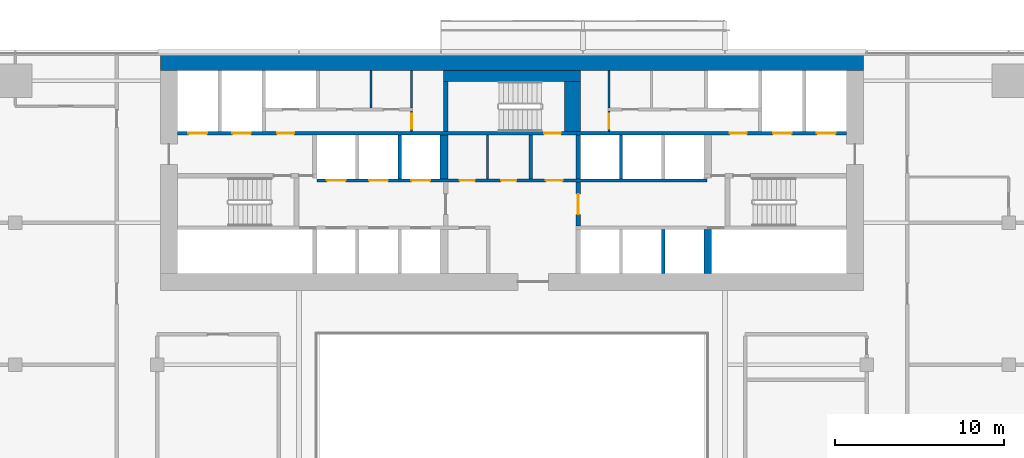
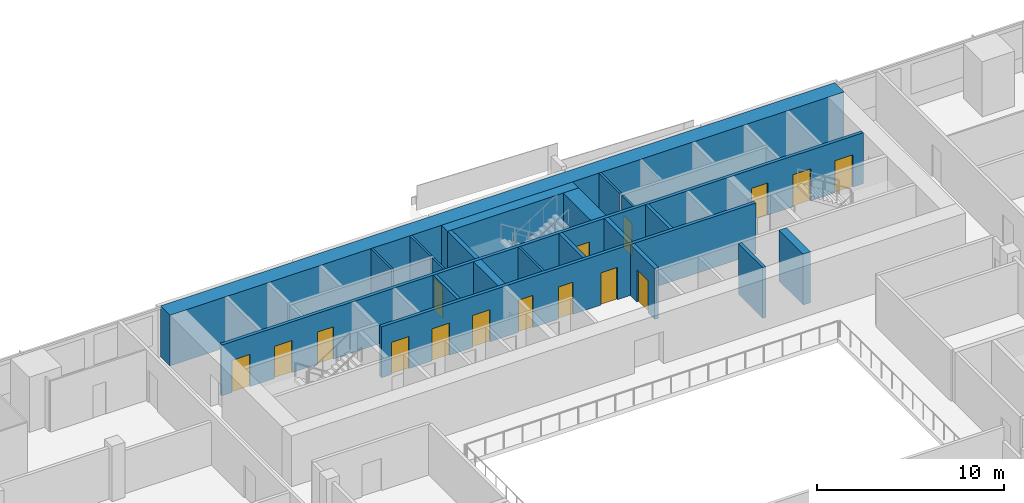
# One storey, part 21 of 26: 20 walls, 16 doors, 16 openings.
"""IFC4 building model written with IfcOpenShell, lengths in metres."""

from ifc_helpers import new_model, si_unit, direction, frame, frame_2d, origin, place, context, subcontext, project, spatial, rectangle, extrude, material, layer, layer_set, type_object, element, fill, save


model = new_model("IFC4")

# Units and contexts
model_context = context("Model", 3, precision=1e-05, world=origin(), true_north=direction((0.0, 1.0)))
body_context = subcontext(model_context, "Body", "Model", "MODEL_VIEW")
ifc_project = project(units=[si_unit("LENGTHUNIT", "METRE"), si_unit("AREAUNIT", "SQUARE_METRE"), si_unit("VOLUMEUNIT", "CUBIC_METRE"), si_unit("PLANEANGLEUNIT", "RADIAN"), si_unit("MASSUNIT", "GRAM", prefix="KILO")], contexts=[model_context])

# Site, building, storey
site_placement = place(None, origin())
site = spatial("IfcSite", under=ifc_project, at=site_placement, CompositionType="ELEMENT")
building_placement = place(site_placement, origin())
building = spatial("IfcBuilding", under=site, at=building_placement, Name="Saffron Gate Tower", CompositionType="ELEMENT")
storey_placement = place(building_placement, frame((0.0, 0.0, 98.85009765625)))
storey = spatial("IfcBuildingStorey", under=building, at=storey_placement, Name="L22", CompositionType="ELEMENT", Elevation=98.85009765625)

# Walls
ifc_material_1 = material(Name="Gypsum board partition on steel studs", Category="steel")
ifc_layer_1 = layer(ifc_material_1, 0.199951171875)
ifc_layer_set_1 = layer_set([ifc_layer_1], Name="CW10 Core partition 200")
wall_type_1 = type_object("IfcWallType", Name="CW10 Core partition 200", PredefinedType="PARTITIONING", material=ifc_layer_set_1)
wall_1_placement = place(storey_placement, frame((88.699951171875, 68.0, 0.0), z_axis=(0.0, 0.0, 1.0), x_axis=(0.0, 1.0, 0.0)))
element("IfcWall", 1, at=wall_1_placement, inside=storey, type_object=wall_type_1, Name="Wall CW10-L22-25", PredefinedType="PARTITIONING", context=body_context, shape_type="SweptSolid", body=[
    extrude(rectangle(XDim=2.60009765625, YDim=0.199951171875, at=frame_2d((1.300048828125, 0.0))), origin(), (0.0, 0.0, 1.0), 3.31982421875),
])
ifc_material_2 = material(Name="Concrete C70", Category="concrete")
ifc_layer_2 = layer(ifc_material_2, 1.0)
ifc_layer_set_2 = layer_set([ifc_layer_2], Name="CW12 RC core wall 1000 C70")
wall_type_2 = type_object("IfcWallType", Name="CW12 RC core wall 1000 C70", PredefinedType="SOLIDWALL", material=ifc_layer_set_2)
wall_2_placement = place(storey_placement, frame((66.800048828125, 74.89990234375, 0.0), z_axis=(0.0, 0.0, 1.0), x_axis=(1.0, 0.0, 0.0)))
element("IfcWall", 2, at=wall_2_placement, inside=storey, type_object=wall_type_2, Name="Wall CW12-L22-2", PredefinedType="SOLIDWALL", context=body_context, shape_type="SweptSolid", body=[
    extrude(rectangle(XDim=41.599853515625, YDim=1.0, at=frame_2d((20.7998046875, 0.0))), origin(), (0.0, 0.0, 1.0), 3.31982421875),
])

# Wall, opening, door
ifc_layer_3 = layer(ifc_material_2, 0.25)
ifc_layer_set_3 = layer_set([ifc_layer_3], Name="CW2 RC core wall 250 C70")
wall_type_3 = type_object("IfcWallType", Name="CW2 RC core wall 250 C70", PredefinedType="SOLIDWALL", material=ifc_layer_set_3)
wall_3_placement = place(storey_placement, frame((91.52490234375, 65.199951171875, 0.0), z_axis=(0.0, 0.0, 1.0), x_axis=(0.0, 1.0, 0.0)))
wall_3 = element("IfcWall", 3, at=wall_3_placement, inside=storey, type_object=wall_type_3, Name="Wall CW2-L22-18", PredefinedType="SOLIDWALL", context=body_context, shape_type="SweptSolid", body=[
    extrude(rectangle(XDim=2.60009765625, YDim=0.25, at=frame_2d((1.300048828125, 0.0))), origin(), (0.0, 0.0, 1.0), 3.31982421875),
])
opening_1_placement = place(wall_3_placement, frame((0.699951171875, 0.0, 0.0)))
opening_1 = element("IfcOpeningElement", 4, at=opening_1_placement, cuts=wall_3, Name="Opening CR-01", PredefinedType="OPENING", context=body_context, shape_type="SweptSolid", body=[
    extrude(rectangle(XDim=1.199951171875, YDim=2.10009765625, at=frame_2d((0.60009765625, 1.050048828125))), frame((0.0, 0.135009765625, 0.0), z_axis=(0.0, -1.0, 0.0), x_axis=(1.0, 0.0, 0.0)), (0.0, 0.0, 1.0), 0.27001953125),
])
ifc_material_3 = material(Name="Steel fire door set", Category="steel")
door_type_1 = type_object("IfcDoorType", Name="CD3 Lobby door 1200x2100 EI 120", OperationType="NOTDEFINED", PredefinedType="DOOR", material=ifc_material_3)
door_1_placement = place(opening_1_placement, origin())
door_1 = element("IfcDoor", 5, at=door_1_placement, inside=storey, type_object=door_type_1, Name="DOOR CR-01", OperationType="SINGLE_SWING_RIGHT", OverallHeight=2.10009765625, OverallWidth=1.199951171875, PredefinedType="DOOR", context=body_context, shape_type="SweptSolid", body=[
    extrude(rectangle(XDim=1.199951171875, YDim=2.10009765625, at=frame_2d((0.60009765625, 1.050048828125))), frame((0.0, 0.02490234375, 0.0), z_axis=(0.0, -1.0, 0.0), x_axis=(1.0, 0.0, 0.0)), (0.0, 0.0, 1.0), 0.050048828125),
])
fill(opening_1, door_1)

# Walls
wall_4_placement = place(storey_placement, frame((91.52490234375, 68.0, 0.0), z_axis=(0.0, 0.0, 1.0), x_axis=(0.0, 1.0, 0.0)))
element("IfcWall", 6, at=wall_4_placement, inside=storey, type_object=wall_type_3, Name="Wall CW2-L22-26", PredefinedType="SOLIDWALL", context=body_context, shape_type="SweptSolid", body=[
    extrude(rectangle(XDim=2.60009765625, YDim=0.25, at=frame_2d((1.300048828125, 0.0))), origin(), (0.0, 0.0, 1.0), 3.31982421875),
])
wall_5_placement = place(storey_placement, frame((83.675048828125, 70.800048828125, 0.0), z_axis=(0.0, 0.0, 1.0), x_axis=(0.0, 1.0, 0.0)))
element("IfcWall", 7, at=wall_5_placement, inside=storey, type_object=wall_type_3, Name="Wall CW2-L22-38", PredefinedType="SOLIDWALL", context=body_context, shape_type="SweptSolid", body=[
    extrude(rectangle(XDim=2.949951171875, YDim=0.25, at=frame_2d((1.47509765625, 0.0))), origin(), (0.0, 0.0, 1.0), 3.31982421875),
])
ifc_layer_4 = layer(ifc_material_2, 0.199951171875)
ifc_layer_set_4 = layer_set([ifc_layer_4], Name="CW3 RC core wall 200 C70")
wall_type_4 = type_object("IfcWallType", Name="CW3 RC core wall 200 C70", PredefinedType="SOLIDWALL", material=ifc_layer_set_4)
wall_6_placement = place(storey_placement, frame((96.550048828125, 62.39990234375, 0.0), z_axis=(0.0, 0.0, 1.0), x_axis=(0.0, 1.0, 0.0)))
element("IfcWall", 8, at=wall_6_placement, inside=storey, type_object=wall_type_4, Name="Wall CW3-L22-12", PredefinedType="SOLIDWALL", context=body_context, shape_type="SweptSolid", body=[
    extrude(rectangle(XDim=2.60009765625, YDim=0.199951171875, at=frame_2d((1.300048828125, 0.0))), origin(), (0.0, 0.0, 1.0), 3.31982421875),
])

# Wall, openings, doors
wall_7_placement = place(storey_placement, frame((76.050048828125, 67.89990234375, 0.0), z_axis=(0.0, 0.0, 1.0), x_axis=(1.0, 0.0, 0.0)))
wall_7 = element("IfcWall", 9, at=wall_7_placement, inside=storey, type_object=wall_type_4, Name="Wall CW3-L22-20", PredefinedType="SOLIDWALL", context=body_context, shape_type="SweptSolid", body=[
    extrude(rectangle(XDim=23.099853515625, YDim=0.199951171875, at=frame_2d((11.5498046875, 0.0))), origin(), (0.0, 0.0, 1.0), 3.31982421875),
])
opening_2_placement = place(wall_7_placement, frame((0.60009765625, 0.0, 0.0)))
opening_2 = element("IfcOpeningElement", 10, at=opening_2_placement, cuts=wall_7, Name="Opening LD-LR4", PredefinedType="OPENING", context=body_context, shape_type="SweptSolid", body=[
    extrude(rectangle(XDim=1.10009765625, YDim=2.10009765625, at=frame_2d((0.550048828125, 1.050048828125))), frame((0.0, 0.10986328125, 0.0), z_axis=(0.0, -1.0, 0.0), x_axis=(1.0, 0.0, 0.0)), (0.0, 0.0, 1.0), 0.219970703125),
])
opening_3_placement = place(wall_7_placement, frame((3.10009765625, 0.0, 0.0)))
opening_3 = element("IfcOpeningElement", 11, at=opening_3_placement, cuts=wall_7, Name="Opening LD-LR5", PredefinedType="OPENING", context=body_context, shape_type="SweptSolid", body=[
    extrude(rectangle(XDim=1.10009765625, YDim=2.10009765625, at=frame_2d((0.550048828125, 1.050048828125))), frame((0.0, 0.10986328125, 0.0), z_axis=(0.0, -1.0, 0.0), x_axis=(1.0, 0.0, 0.0)), (0.0, 0.0, 1.0), 0.219970703125),
])
opening_4_placement = place(wall_7_placement, frame((5.60009765625, 0.0, 0.0)))
opening_4 = element("IfcOpeningElement", 12, at=opening_4_placement, cuts=wall_7, Name="Opening LD-LR6", PredefinedType="OPENING", context=body_context, shape_type="SweptSolid", body=[
    extrude(rectangle(XDim=1.10009765625, YDim=2.10009765625, at=frame_2d((0.550048828125, 1.050048828125))), frame((0.0, 0.10986328125, 0.0), z_axis=(0.0, -1.0, 0.0), x_axis=(1.0, 0.0, 0.0)), (0.0, 0.0, 1.0), 0.219970703125),
])
opening_5_placement = place(wall_7_placement, frame((8.449951171875, 0.0, 0.0)))
opening_5 = element("IfcOpeningElement", 13, at=opening_5_placement, cuts=wall_7, Name="Opening CR-67", PredefinedType="OPENING", context=body_context, shape_type="SweptSolid", body=[
    extrude(rectangle(XDim=0.89990234375, YDim=2.10009765625, at=frame_2d((0.449951171875, 1.050048828125))), frame((0.0, 0.10986328125, 0.0), z_axis=(0.0, -1.0, 0.0), x_axis=(1.0, 0.0, 0.0)), (0.0, 0.0, 1.0), 0.219970703125),
])
opening_6_placement = place(wall_7_placement, frame((10.909912109375, 0.0, 0.0)))
opening_6 = element("IfcOpeningElement", 14, at=opening_6_placement, cuts=wall_7, Name="Opening CR-68", PredefinedType="OPENING", context=body_context, shape_type="SweptSolid", body=[
    extrude(rectangle(XDim=0.89990234375, YDim=2.10009765625, at=frame_2d((0.449951171875, 1.050048828125))), frame((0.0, 0.10986328125, 0.0), z_axis=(0.0, -1.0, 0.0), x_axis=(1.0, 0.0, 0.0)), (0.0, 0.0, 1.0), 0.219970703125),
])
opening_7_placement = place(wall_7_placement, frame((13.550048828125, 0.0, 0.0)))
opening_7 = element("IfcOpeningElement", 15, at=opening_7_placement, cuts=wall_7, Name="Opening CR-02", PredefinedType="OPENING", context=body_context, shape_type="SweptSolid", body=[
    extrude(rectangle(XDim=1.0, YDim=2.10009765625, at=frame_2d((0.5, 1.050048828125))), frame((0.0, 0.10986328125, 0.0), z_axis=(0.0, -1.0, 0.0), x_axis=(1.0, 0.0, 0.0)), (0.0, 0.0, 1.0), 0.219970703125),
])
door_type_2 = type_object("IfcDoorType", Name="CD4 Lobby door 1000x2100 EI 120", OperationType="NOTDEFINED", PredefinedType="DOOR", material=ifc_material_3)
door_2_placement = place(opening_7_placement, origin())
door_2 = element("IfcDoor", 16, at=door_2_placement, inside=storey, type_object=door_type_2, Name="DOOR CR-02", OperationType="SINGLE_SWING_LEFT", OverallHeight=2.10009765625, OverallWidth=1.0, PredefinedType="DOOR", context=body_context, shape_type="SweptSolid", body=[
    extrude(rectangle(XDim=1.0, YDim=2.10009765625, at=frame_2d((0.5, 1.050048828125))), frame((0.0, 0.02490234375, 0.0), z_axis=(0.0, -1.0, 0.0), x_axis=(1.0, 0.0, 0.0)), (0.0, 0.0, 1.0), 0.050048828125),
])
fill(opening_7, door_2)
door_type_3 = type_object("IfcDoorType", Name="CD9 Room door 900x2100 EI 60", OperationType="NOTDEFINED", PredefinedType="DOOR", material=ifc_material_3)
door_3_placement = place(opening_5_placement, origin())
door_3 = element("IfcDoor", 17, at=door_3_placement, inside=storey, type_object=door_type_3, Name="DOOR CR-67", OperationType="SINGLE_SWING_LEFT", OverallHeight=2.10009765625, OverallWidth=0.89990234375, PredefinedType="DOOR", context=body_context, shape_type="SweptSolid", body=[
    extrude(rectangle(XDim=0.89990234375, YDim=2.10009765625, at=frame_2d((0.449951171875, 1.050048828125))), frame((0.0, 0.02490234375, 0.0), z_axis=(0.0, -1.0, 0.0), x_axis=(1.0, 0.0, 0.0)), (0.0, 0.0, 1.0), 0.050048828125),
])
fill(opening_5, door_3)
door_4_placement = place(opening_6_placement, origin())
door_4 = element("IfcDoor", 18, at=door_4_placement, inside=storey, type_object=door_type_3, Name="DOOR CR-68", OperationType="SINGLE_SWING_LEFT", OverallHeight=2.10009765625, OverallWidth=0.89990234375, PredefinedType="DOOR", context=body_context, shape_type="SweptSolid", body=[
    extrude(rectangle(XDim=0.89990234375, YDim=2.10009765625, at=frame_2d((0.449951171875, 1.050048828125))), frame((0.0, 0.02490234375, 0.0), z_axis=(0.0, -1.0, 0.0), x_axis=(1.0, 0.0, 0.0)), (0.0, 0.0, 1.0), 0.050048828125),
])
fill(opening_6, door_4)
ifc_material_4 = material(Name="Stainless steel landing door", Category="steel")
door_type_4 = type_object("IfcDoorType", Name="LD Lift landing door 1100x2100 EI 120", OperationType="SLIDING_TO_LEFT", PredefinedType="DOOR", material=ifc_material_4)
door_5_placement = place(opening_2_placement, origin())
door_5 = element("IfcDoor", 19, at=door_5_placement, inside=storey, type_object=door_type_4, Name="LANDING DOOR LD-LR4", OperationType="SLIDING_TO_RIGHT", OverallHeight=2.10009765625, OverallWidth=1.10009765625, PredefinedType="DOOR", context=body_context, shape_type="SweptSolid", body=[
    extrude(rectangle(XDim=1.10009765625, YDim=2.10009765625, at=frame_2d((0.550048828125, 1.050048828125))), frame((0.0, 0.02490234375, 0.0), z_axis=(0.0, -1.0, 0.0), x_axis=(1.0, 0.0, 0.0)), (0.0, 0.0, 1.0), 0.050048828125),
])
fill(opening_2, door_5)
door_6_placement = place(opening_3_placement, origin())
door_6 = element("IfcDoor", 20, at=door_6_placement, inside=storey, type_object=door_type_4, Name="LANDING DOOR LD-LR5", OperationType="SLIDING_TO_RIGHT", OverallHeight=2.10009765625, OverallWidth=1.10009765625, PredefinedType="DOOR", context=body_context, shape_type="SweptSolid", body=[
    extrude(rectangle(XDim=1.10009765625, YDim=2.10009765625, at=frame_2d((0.550048828125, 1.050048828125))), frame((0.0, 0.02490234375, 0.0), z_axis=(0.0, -1.0, 0.0), x_axis=(1.0, 0.0, 0.0)), (0.0, 0.0, 1.0), 0.050048828125),
])
fill(opening_3, door_6)
door_7_placement = place(opening_4_placement, origin())
door_7 = element("IfcDoor", 21, at=door_7_placement, inside=storey, type_object=door_type_4, Name="LANDING DOOR LD-LR6", OperationType="SLIDING_TO_RIGHT", OverallHeight=2.10009765625, OverallWidth=1.10009765625, PredefinedType="DOOR", context=body_context, shape_type="SweptSolid", body=[
    extrude(rectangle(XDim=1.10009765625, YDim=2.10009765625, at=frame_2d((0.550048828125, 1.050048828125))), frame((0.0, 0.02490234375, 0.0), z_axis=(0.0, -1.0, 0.0), x_axis=(1.0, 0.0, 0.0)), (0.0, 0.0, 1.0), 0.050048828125),
])
fill(opening_4, door_7)

# Walls
for number, where, z_axis, x_axis, name in (
    (22, (80.949951171875, 68.0, 0.0), (0.0, 0.0, 1.0), (0.0, 1.0, 0.0), "Wall CW3-L22-22"),
    (23, (94.050048828125, 68.0, 0.0), (0.0, 0.0, 1.0), (0.0, 1.0, 0.0), "Wall CW3-L22-27"),
):
    element("IfcWall", number, at=place(storey_placement, frame(where, z_axis=z_axis, x_axis=x_axis)), inside=storey, type_object=wall_type_4, Name=name, PredefinedType="SOLIDWALL", context=body_context, shape_type="SweptSolid", body=[
        extrude(rectangle(XDim=2.60009765625, YDim=0.199951171875, at=frame_2d((1.300048828125, 0.0))), origin(), (0.0, 0.0, 1.0), 3.31982421875),
    ])

# Wall, openings, doors
wall_8_placement = place(storey_placement, frame((67.800048828125, 70.699951171875, 0.0), z_axis=(0.0, 0.0, 1.0), x_axis=(1.0, 0.0, 0.0)))
wall_8 = element("IfcWall", 24, at=wall_8_placement, inside=storey, type_object=wall_type_4, Name="Wall CW3-L22-34", PredefinedType="SOLIDWALL", context=body_context, shape_type="SweptSolid", body=[
    extrude(rectangle(XDim=39.599853515625, YDim=0.199951171875, at=frame_2d((19.7998046875, 0.0))), origin(), (0.0, 0.0, 1.0), 3.31982421875),
])
opening_8_placement = place(wall_8_placement, frame((0.64990234375, 0.0, 0.0)))
opening_8 = element("IfcOpeningElement", 25, at=opening_8_placement, cuts=wall_8, Name="Opening LD-FF1", PredefinedType="OPENING", context=body_context, shape_type="SweptSolid", body=[
    extrude(rectangle(XDim=1.10009765625, YDim=2.10009765625, at=frame_2d((0.550048828125, 1.050048828125))), frame((0.0, 0.10986328125, 0.0), z_axis=(0.0, -1.0, 0.0), x_axis=(1.0, 0.0, 0.0)), (0.0, 0.0, 1.0), 0.219970703125),
])
opening_9_placement = place(wall_8_placement, frame((3.25, 0.0, 0.0)))
opening_9 = element("IfcOpeningElement", 26, at=opening_9_placement, cuts=wall_8, Name="Opening LD-SV1", PredefinedType="OPENING", context=body_context, shape_type="SweptSolid", body=[
    extrude(rectangle(XDim=1.10009765625, YDim=2.10009765625, at=frame_2d((0.550048828125, 1.050048828125))), frame((0.0, 0.10986328125, 0.0), z_axis=(0.0, -1.0, 0.0), x_axis=(1.0, 0.0, 0.0)), (0.0, 0.0, 1.0), 0.219970703125),
])
opening_10_placement = place(wall_8_placement, frame((5.89990234375, 0.0, 0.0)))
opening_10 = element("IfcOpeningElement", 27, at=opening_10_placement, cuts=wall_8, Name="Opening CR-03", PredefinedType="OPENING", context=body_context, shape_type="SweptSolid", body=[
    extrude(rectangle(XDim=1.0, YDim=2.10009765625, at=frame_2d((0.5, 1.050048828125))), frame((0.0, 0.10986328125, 0.0), z_axis=(0.0, -1.0, 0.0), x_axis=(1.0, 0.0, 0.0)), (0.0, 0.0, 1.0), 0.219970703125),
])
opening_11_placement = place(wall_8_placement, frame((21.699951171875, 0.0, 0.0)))
opening_11 = element("IfcOpeningElement", 28, at=opening_11_placement, cuts=wall_8, Name="Opening CR-17", PredefinedType="OPENING", context=body_context, shape_type="SweptSolid", body=[
    extrude(rectangle(XDim=1.0, YDim=2.10009765625, at=frame_2d((0.5, 1.050048828125))), frame((0.0, 0.10986328125, 0.0), z_axis=(0.0, -1.0, 0.0), x_axis=(1.0, 0.0, 0.0)), (0.0, 0.0, 1.0), 0.219970703125),
])
opening_12_placement = place(wall_8_placement, frame((32.699951171875, 0.0, 0.0)))
opening_12 = element("IfcOpeningElement", 29, at=opening_12_placement, cuts=wall_8, Name="Opening CR-04", PredefinedType="OPENING", context=body_context, shape_type="SweptSolid", body=[
    extrude(rectangle(XDim=1.0, YDim=2.10009765625, at=frame_2d((0.5, 1.050048828125))), frame((0.0, 0.10986328125, 0.0), z_axis=(0.0, -1.0, 0.0), x_axis=(1.0, 0.0, 0.0)), (0.0, 0.0, 1.0), 0.219970703125),
])
opening_13_placement = place(wall_8_placement, frame((35.25, 0.0, 0.0)))
opening_13 = element("IfcOpeningElement", 30, at=opening_13_placement, cuts=wall_8, Name="Opening LD-SV2", PredefinedType="OPENING", context=body_context, shape_type="SweptSolid", body=[
    extrude(rectangle(XDim=1.10009765625, YDim=2.10009765625, at=frame_2d((0.550048828125, 1.050048828125))), frame((0.0, 0.10986328125, 0.0), z_axis=(0.0, -1.0, 0.0), x_axis=(1.0, 0.0, 0.0)), (0.0, 0.0, 1.0), 0.219970703125),
])
opening_14_placement = place(wall_8_placement, frame((37.85009765625, 0.0, 0.0)))
opening_14 = element("IfcOpeningElement", 31, at=opening_14_placement, cuts=wall_8, Name="Opening LD-FF2", PredefinedType="OPENING", context=body_context, shape_type="SweptSolid", body=[
    extrude(rectangle(XDim=1.10009765625, YDim=2.10009765625, at=frame_2d((0.550048828125, 1.050048828125))), frame((0.0, 0.10986328125, 0.0), z_axis=(0.0, -1.0, 0.0), x_axis=(1.0, 0.0, 0.0)), (0.0, 0.0, 1.0), 0.219970703125),
])
door_8_placement = place(opening_10_placement, origin())
door_8 = element("IfcDoor", 32, at=door_8_placement, inside=storey, type_object=door_type_2, Name="DOOR CR-03", OperationType="SINGLE_SWING_LEFT", OverallHeight=2.10009765625, OverallWidth=1.0, PredefinedType="DOOR", context=body_context, shape_type="SweptSolid", body=[
    extrude(rectangle(XDim=1.0, YDim=2.10009765625, at=frame_2d((0.5, 1.050048828125))), frame((0.0, 0.02490234375, 0.0), z_axis=(0.0, -1.0, 0.0), x_axis=(1.0, 0.0, 0.0)), (0.0, 0.0, 1.0), 0.050048828125),
])
fill(opening_10, door_8)
door_9_placement = place(opening_12_placement, origin())
door_9 = element("IfcDoor", 33, at=door_9_placement, inside=storey, type_object=door_type_2, Name="DOOR CR-04", OperationType="SINGLE_SWING_RIGHT", OverallHeight=2.10009765625, OverallWidth=1.0, PredefinedType="DOOR", context=body_context, shape_type="SweptSolid", body=[
    extrude(rectangle(XDim=1.0, YDim=2.10009765625, at=frame_2d((0.5, 1.050048828125))), frame((0.0, 0.02490234375, 0.0), z_axis=(0.0, -1.0, 0.0), x_axis=(1.0, 0.0, 0.0)), (0.0, 0.0, 1.0), 0.050048828125),
])
fill(opening_12, door_9)
door_type_5 = type_object("IfcDoorType", Name="CD5 Stair door 1000x2100 EI 120", OperationType="NOTDEFINED", PredefinedType="DOOR", material=ifc_material_3)
door_10_placement = place(opening_11_placement, origin())
door_10 = element("IfcDoor", 34, at=door_10_placement, inside=storey, type_object=door_type_5, Name="DOOR CR-17", OperationType="SINGLE_SWING_RIGHT", OverallHeight=2.10009765625, OverallWidth=1.0, PredefinedType="DOOR", context=body_context, shape_type="SweptSolid", body=[
    extrude(rectangle(XDim=1.0, YDim=2.10009765625, at=frame_2d((0.5, 1.050048828125))), frame((0.0, 0.02490234375, 0.0), z_axis=(0.0, -1.0, 0.0), x_axis=(1.0, 0.0, 0.0)), (0.0, 0.0, 1.0), 0.050048828125),
])
fill(opening_11, door_10)
door_11_placement = place(opening_8_placement, origin())
door_11 = element("IfcDoor", 35, at=door_11_placement, inside=storey, type_object=door_type_4, Name="LANDING DOOR LD-FF1", OperationType="SLIDING_TO_RIGHT", OverallHeight=2.10009765625, OverallWidth=1.10009765625, PredefinedType="DOOR", context=body_context, shape_type="SweptSolid", body=[
    extrude(rectangle(XDim=1.10009765625, YDim=2.10009765625, at=frame_2d((0.550048828125, 1.050048828125))), frame((0.0, 0.02490234375, 0.0), z_axis=(0.0, -1.0, 0.0), x_axis=(1.0, 0.0, 0.0)), (0.0, 0.0, 1.0), 0.050048828125),
])
fill(opening_8, door_11)
door_12_placement = place(opening_9_placement, origin())
door_12 = element("IfcDoor", 36, at=door_12_placement, inside=storey, type_object=door_type_4, Name="LANDING DOOR LD-SV1", OperationType="SLIDING_TO_RIGHT", OverallHeight=2.10009765625, OverallWidth=1.10009765625, PredefinedType="DOOR", context=body_context, shape_type="SweptSolid", body=[
    extrude(rectangle(XDim=1.10009765625, YDim=2.10009765625, at=frame_2d((0.550048828125, 1.050048828125))), frame((0.0, 0.02490234375, 0.0), z_axis=(0.0, -1.0, 0.0), x_axis=(1.0, 0.0, 0.0)), (0.0, 0.0, 1.0), 0.050048828125),
])
fill(opening_9, door_12)
door_13_placement = place(opening_13_placement, origin())
door_13 = element("IfcDoor", 37, at=door_13_placement, inside=storey, type_object=door_type_4, Name="LANDING DOOR LD-SV2", OperationType="SLIDING_TO_RIGHT", OverallHeight=2.10009765625, OverallWidth=1.10009765625, PredefinedType="DOOR", context=body_context, shape_type="SweptSolid", body=[
    extrude(rectangle(XDim=1.10009765625, YDim=2.10009765625, at=frame_2d((0.550048828125, 1.050048828125))), frame((0.0, 0.02490234375, 0.0), z_axis=(0.0, -1.0, 0.0), x_axis=(1.0, 0.0, 0.0)), (0.0, 0.0, 1.0), 0.050048828125),
])
fill(opening_13, door_13)
door_14_placement = place(opening_14_placement, origin())
door_14 = element("IfcDoor", 38, at=door_14_placement, inside=storey, type_object=door_type_4, Name="LANDING DOOR LD-FF2", OperationType="SLIDING_TO_RIGHT", OverallHeight=2.10009765625, OverallWidth=1.10009765625, PredefinedType="DOOR", context=body_context, shape_type="SweptSolid", body=[
    extrude(rectangle(XDim=1.10009765625, YDim=2.10009765625, at=frame_2d((0.550048828125, 1.050048828125))), frame((0.0, 0.02490234375, 0.0), z_axis=(0.0, -1.0, 0.0), x_axis=(1.0, 0.0, 0.0)), (0.0, 0.0, 1.0), 0.050048828125),
])
fill(opening_14, door_14)

# Walls
ifc_layer_5 = layer(ifc_material_2, 0.449951171875)
ifc_layer_set_5 = layer_set([ifc_layer_5], Name="CW4 RC core wall 450 C70")
wall_type_5 = type_object("IfcWallType", Name="CW4 RC core wall 450 C70", PredefinedType="SOLIDWALL", material=ifc_layer_set_5)
for number, where, z_axis, x_axis, name in (
    (39, (99.175048828125, 62.39990234375, 0.0), (0.0, 0.0, 1.0), (0.0, 1.0, 0.0), "Wall CW4-L22-13"),
    (40, (83.574951171875, 68.0, 0.0), (0.0, 0.0, 1.0), (0.0, 1.0, 0.0), "Wall CW4-L22-23"),
):
    element("IfcWall", number, at=place(storey_placement, frame(where, z_axis=z_axis, x_axis=x_axis)), inside=storey, type_object=wall_type_5, Name=name, PredefinedType="SOLIDWALL", context=body_context, shape_type="SweptSolid", body=[
        extrude(rectangle(XDim=2.60009765625, YDim=0.449951171875, at=frame_2d((1.300048828125, 0.0))), origin(), (0.0, 0.0, 1.0), 3.31982421875),
    ])
ifc_layer_6 = layer(ifc_material_2, 0.949951171875)
ifc_layer_set_6 = layer_set([ifc_layer_6], Name="CW7 RC core wall 950 C70")
wall_type_6 = type_object("IfcWallType", Name="CW7 RC core wall 950 C70", PredefinedType="SOLIDWALL", material=ifc_layer_set_6)
wall_9_placement = place(storey_placement, frame((91.175048828125, 70.800048828125, 0.0), z_axis=(0.0, 0.0, 1.0), x_axis=(0.0, 1.0, 0.0)))
element("IfcWall", 41, at=wall_9_placement, inside=storey, type_object=wall_type_6, Name="Wall CW7-L22-39", PredefinedType="SOLIDWALL", context=body_context, shape_type="SweptSolid", body=[
    extrude(rectangle(XDim=2.949951171875, YDim=0.949951171875, at=frame_2d((1.47509765625, 0.0))), origin(), (0.0, 0.0, 1.0), 3.31982421875),
])
ifc_layer_7 = layer(ifc_material_1, 0.1201171875)
ifc_layer_set_7 = layer_set([ifc_layer_7], Name="CW8 Core partition 120")
wall_type_7 = type_object("IfcWallType", Name="CW8 Core partition 120", PredefinedType="PARTITIONING", material=ifc_layer_set_7)
wall_10_placement = place(storey_placement, frame((86.159912109375, 68.0, 0.0), z_axis=(0.0, 0.0, 1.0), x_axis=(0.0, 1.0, 0.0)))
element("IfcWall", 42, at=wall_10_placement, inside=storey, type_object=wall_type_7, Name="Wall CW8-L22-24", PredefinedType="PARTITIONING", context=body_context, shape_type="SweptSolid", body=[
    extrude(rectangle(XDim=2.60009765625, YDim=0.1201171875, at=frame_2d((1.300048828125, 0.0))), origin(), (0.0, 0.0, 1.0), 3.31982421875),
])

# Wall, opening, door
wall_11_placement = place(storey_placement, frame((81.659912109375, 70.800048828125, 0.0), z_axis=(0.0, 0.0, 1.0), x_axis=(0.0, 1.0, 0.0)))
wall_11 = element("IfcWall", 43, at=wall_11_placement, inside=storey, type_object=wall_type_7, Name="Wall CW8-L22-37", PredefinedType="PARTITIONING", context=body_context, shape_type="SweptSolid", body=[
    extrude(rectangle(XDim=1.199951171875, YDim=0.1201171875, at=frame_2d((0.60009765625, 0.0))), origin(), (0.0, 0.0, 1.0), 3.31982421875),
])
opening_15_placement = place(wall_11_placement, frame((0.14990234375, 0.0, 0.0)))
opening_15 = element("IfcOpeningElement", 44, at=opening_15_placement, cuts=wall_11, Name="Opening CR-60", PredefinedType="OPENING", context=body_context, shape_type="SweptSolid", body=[
    extrude(rectangle(XDim=0.89990234375, YDim=2.10009765625, at=frame_2d((0.449951171875, 1.050048828125))), frame((0.0, 0.070068359375, 0.0), z_axis=(0.0, -1.0, 0.0), x_axis=(1.0, 0.0, 0.0)), (0.0, 0.0, 1.0), 0.14013671875),
])
door_15_placement = place(opening_15_placement, origin())
door_15 = element("IfcDoor", 45, at=door_15_placement, inside=storey, type_object=door_type_3, Name="DOOR CR-60", OperationType="SINGLE_SWING_RIGHT", OverallHeight=2.10009765625, OverallWidth=0.89990234375, PredefinedType="DOOR", context=body_context, shape_type="SweptSolid", body=[
    extrude(rectangle(XDim=0.89990234375, YDim=2.10009765625, at=frame_2d((0.449951171875, 1.050048828125))), frame((0.0, 0.02490234375, 0.0), z_axis=(0.0, -1.0, 0.0), x_axis=(1.0, 0.0, 0.0)), (0.0, 0.0, 1.0), 0.050048828125),
])
fill(opening_15, door_15)

wall_12_placement = place(storey_placement, frame((93.340087890625, 70.800048828125, 0.0), z_axis=(0.0, 0.0, 1.0), x_axis=(0.0, 1.0, 0.0)))
wall_12 = element("IfcWall", 46, at=wall_12_placement, inside=storey, type_object=wall_type_7, Name="Wall CW8-L22-40", PredefinedType="PARTITIONING", context=body_context, shape_type="SweptSolid", body=[
    extrude(rectangle(XDim=1.199951171875, YDim=0.1201171875, at=frame_2d((0.60009765625, 0.0))), origin(), (0.0, 0.0, 1.0), 3.31982421875),
])
opening_16_placement = place(wall_12_placement, frame((0.14990234375, 0.0, 0.0)))
opening_16 = element("IfcOpeningElement", 47, at=opening_16_placement, cuts=wall_12, Name="Opening CR-54", PredefinedType="OPENING", context=body_context, shape_type="SweptSolid", body=[
    extrude(rectangle(XDim=0.89990234375, YDim=2.10009765625, at=frame_2d((0.449951171875, 1.050048828125))), frame((0.0, 0.070068359375, 0.0), z_axis=(0.0, -1.0, 0.0), x_axis=(1.0, 0.0, 0.0)), (0.0, 0.0, 1.0), 0.14013671875),
])
door_16_placement = place(opening_16_placement, origin())
door_16 = element("IfcDoor", 48, at=door_16_placement, inside=storey, type_object=door_type_3, Name="DOOR CR-54", OperationType="SINGLE_SWING_LEFT", OverallHeight=2.10009765625, OverallWidth=0.89990234375, PredefinedType="DOOR", context=body_context, shape_type="SweptSolid", body=[
    extrude(rectangle(XDim=0.89990234375, YDim=2.10009765625, at=frame_2d((0.449951171875, 1.050048828125))), frame((0.0, 0.02490234375, 0.0), z_axis=(0.0, -1.0, 0.0), x_axis=(1.0, 0.0, 0.0)), (0.0, 0.0, 1.0), 0.050048828125),
])
fill(opening_16, door_16)

# Walls
for number, where, z_axis, x_axis, name in (
    (49, (79.260009765625, 72.199951171875, 0.0), (0.0, 0.0, 1.0), (0.0, 1.0, 0.0), "Wall CW8-L22-47"),
    (50, (81.659912109375, 72.199951171875, 0.0), (0.0, 0.0, 1.0), (0.0, 1.0, 0.0), "Wall CW8-L22-48"),
    (51, (93.340087890625, 72.199951171875, 0.0), (0.0, 0.0, 1.0), (0.0, 1.0, 0.0), "Wall CW8-L22-49"),
):
    element("IfcWall", number, at=place(storey_placement, frame(where, z_axis=z_axis, x_axis=x_axis)), inside=storey, type_object=wall_type_7, Name=name, PredefinedType="PARTITIONING", context=body_context, shape_type="SweptSolid", body=[
        extrude(rectangle(XDim=2.199951171875, YDim=0.1201171875, at=frame_2d((1.10009765625, 0.0))), origin(), (0.0, 0.0, 1.0), 3.31982421875),
    ])
ifc_layer_8 = layer(ifc_material_2, 0.64990234375)
ifc_layer_set_8 = layer_set([ifc_layer_8], Name="CW9 RC core wall 650 C70")
wall_type_8 = type_object("IfcWallType", Name="CW9 RC core wall 650 C70", PredefinedType="SOLIDWALL", material=ifc_layer_set_8)
wall_13_placement = place(storey_placement, frame((83.550048828125, 74.074951171875, 0.0), z_axis=(0.0, 0.0, 1.0), x_axis=(1.0, 0.0, 0.0)))
element("IfcWall", 52, at=wall_13_placement, inside=storey, type_object=wall_type_8, Name="Wall CW9-L22-53", PredefinedType="SOLIDWALL", context=body_context, shape_type="SweptSolid", body=[
    extrude(rectangle(XDim=8.099853515625, YDim=0.64990234375, at=frame_2d((4.0498046875, 0.0))), origin(), (0.0, 0.0, 1.0), 3.31982421875),
])

save(model, "model.ifc")
